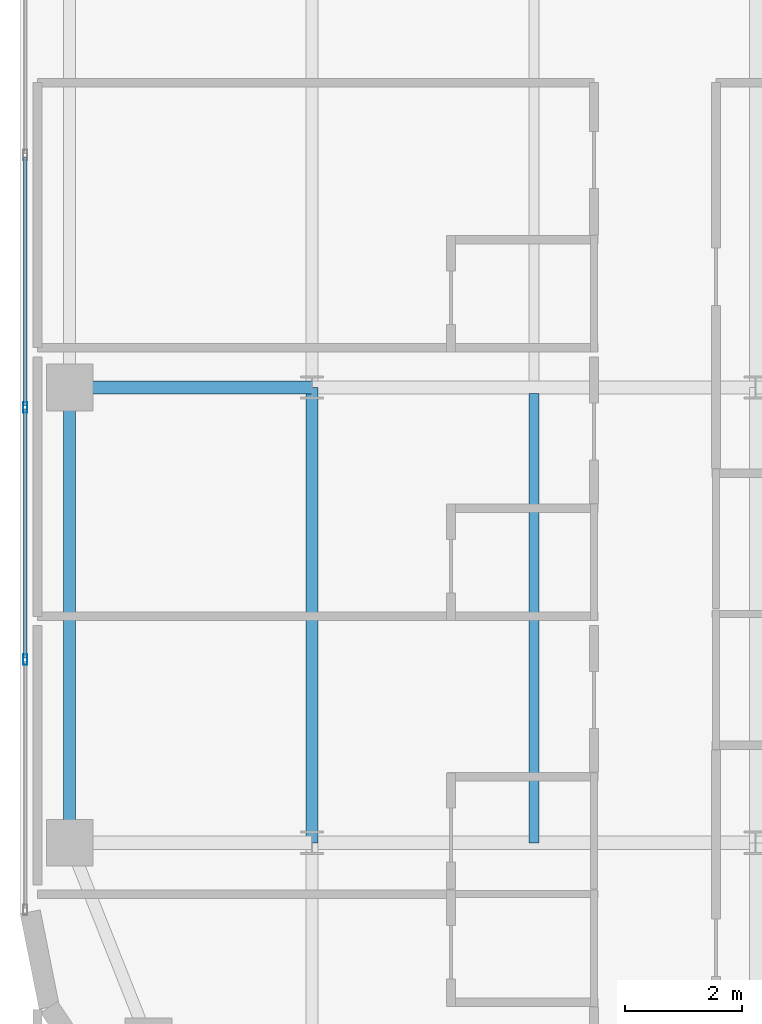
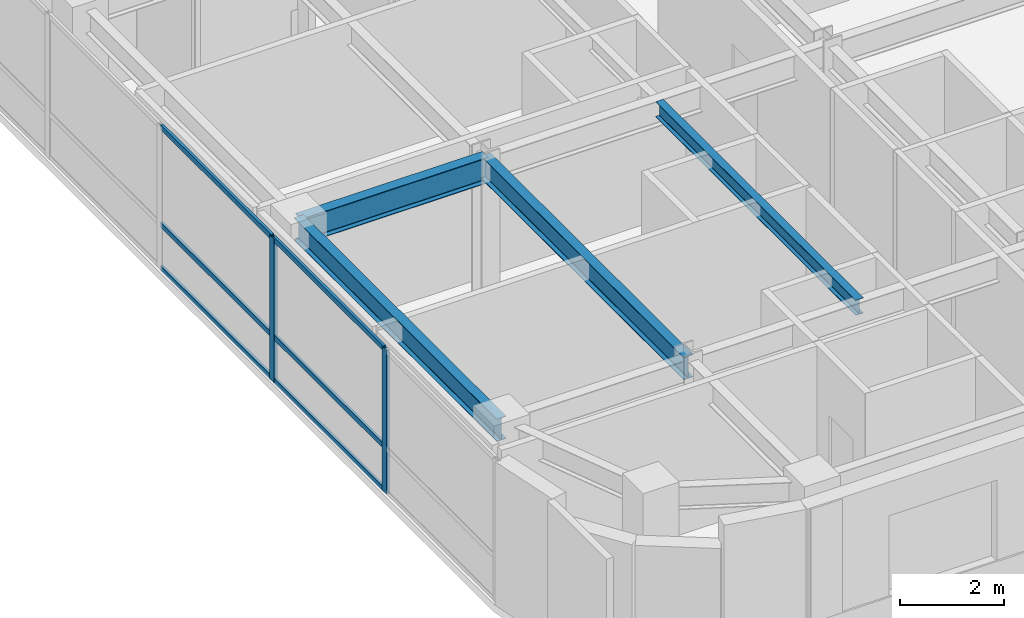
# One storey, part 5 of 28: 8 members, 4 beams, 1 element without a shape of its own.
"""IFC4 building model written with IfcOpenShell, lengths in metres."""

from ifc_helpers import new_model, si_unit, direction, frame, origin, origin_2d, place, context, subcontext, project, spatial, hollow_rectangle, i_section, extrude, source, transform, mapped, material, layer, layer_set, material_profile, profile_set, type_object, type_shapes, element, aggregate, save


model = new_model("IFC4")

# Units and contexts
model_context = context("Model", 3, precision=1e-05, world=origin(), true_north=direction((0.0, 1.0)))
body_context = subcontext(model_context, "Body", "Model", "MODEL_VIEW")
ifc_project = project(units=[si_unit("LENGTHUNIT", "METRE"), si_unit("AREAUNIT", "SQUARE_METRE"), si_unit("VOLUMEUNIT", "CUBIC_METRE"), si_unit("PLANEANGLEUNIT", "RADIAN"), si_unit("MASSUNIT", "GRAM", prefix="KILO")], contexts=[model_context])

# Site, building, storey
site_placement = place(None, origin())
site = spatial("IfcSite", under=ifc_project, at=site_placement, CompositionType="ELEMENT")
building_placement = place(site_placement, origin())
building = spatial("IfcBuilding", under=site, at=building_placement, Name="Tolvann Quenvar Hotel", CompositionType="ELEMENT")
storey_placement = place(building_placement, frame((0.0, 0.0, 154.14990234375)))
storey = spatial("IfcBuildingStorey", under=building, at=storey_placement, Name="L40", CompositionType="ELEMENT", Elevation=154.14990234375)

# Beams
ifc_material_1 = material(Name="Steel Grade 350", Category="steel")
ifc_material_profile_1 = material_profile(ifc_material_1, i_section(OverallWidth=0.208984375, OverallDepth=0.528076171875, WebThickness=0.009521484375, FlangeThickness=0.01318359375, FilletRadius=0.013916015625, at=origin_2d()), Name="530UB82")
ifc_profile_set_1 = profile_set([ifc_material_profile_1], Name="Steel Grade 350")
beam_type_1 = type_object("IfcBeamType", Name="BM_SPAND_530UB82", PredefinedType="SPANDREL", material=ifc_profile_set_1)
shared_shape_1 = source(origin(), body_context, "Body", "SweptSolid", [
    extrude(i_section(OverallWidth=0.208984375, OverallDepth=0.528076171875, WebThickness=0.009521484375, FlangeThickness=0.01318359375, FilletRadius=0.013916015625, at=origin_2d()), origin(), (0.0, 0.0, 1.0), 7.800048828125),
])
type_shapes(beam_type_1, [shared_shape_1])
beam_1_placement = place(storey_placement, frame((3.449951171875, 8.199951171875, 3.106201171875), z_axis=(0.0, 1.0, 0.0), x_axis=(-1.0, 0.0, 0.0)))
element("IfcBeam", 1, at=beam_1_placement, inside=storey, type_object=beam_type_1, Name="BM-L40-NS-B3-B4", PredefinedType="SPANDREL", context=body_context, shape_type="MappedRepresentation", body=[
    mapped(shared_shape_1, transform((0.0, 0.0, 0.0), x_axis=(1.0, 0.0, 0.0), y_axis=(0.0, 1.0, 0.0), z_axis=(0.0, 0.0, 1.0), scale=1.0)),
])
ifc_material_profile_2 = material_profile(ifc_material_1, i_section(OverallWidth=0.208984375, OverallDepth=0.532958984375, WebThickness=0.01025390625, FlangeThickness=0.015625, FilletRadius=0.013916015625, at=origin_2d()), Name="530UB92")
ifc_profile_set_2 = profile_set([ifc_material_profile_2], Name="Steel Grade 350")
beam_type_2 = type_object("IfcBeamType", Name="BM_GIRD_530UB92", PredefinedType="BEAM", material=ifc_profile_set_2)
shared_shape_2 = source(origin(), body_context, "Body", "SweptSolid", [
    extrude(i_section(OverallWidth=0.208984375, OverallDepth=0.532958984375, WebThickness=0.01025390625, FlangeThickness=0.015625, FilletRadius=0.013916015625, at=origin_2d()), origin(), (0.0, 0.0, 1.0), 7.800048828125),
])
type_shapes(beam_type_2, [shared_shape_2])
beam_2_placement = place(storey_placement, frame((7.60009765625, 8.199951171875, 3.103515625), z_axis=(0.0, 1.0, 0.0), x_axis=(-1.0, 0.0, 0.0)))
element("IfcBeam", 2, at=beam_2_placement, inside=storey, type_object=beam_type_2, Name="BM-L40-NS-C3-C4", PredefinedType="BEAM", context=body_context, shape_type="MappedRepresentation", body=[
    mapped(shared_shape_2, transform((0.0, 0.0, 0.0), x_axis=(1.0, 0.0, 0.0), y_axis=(0.0, 1.0, 0.0), z_axis=(0.0, 0.0, 1.0), scale=1.0)),
])
ifc_material_profile_3 = material_profile(ifc_material_1, i_section(OverallWidth=0.22802734375, OverallDepth=0.60205078125, WebThickness=0.010498046875, FlangeThickness=0.014892578125, FilletRadius=0.013916015625, at=origin_2d()), Name="610UB101")
ifc_profile_set_3 = profile_set([ifc_material_profile_3], Name="Steel Grade 350")
beam_type_3 = type_object("IfcBeamType", Name="BM_GIRD_610UB101", PredefinedType="BEAM", material=ifc_profile_set_3)
shared_shape_3 = source(origin(), body_context, "Body", "SweptSolid", [
    extrude(i_section(OverallWidth=0.22802734375, OverallDepth=0.60205078125, WebThickness=0.010498046875, FlangeThickness=0.014892578125, FilletRadius=0.013916015625, at=origin_2d()), origin(), (0.0, 0.0, 1.0), 4.150146484375),
])
type_shapes(beam_type_3, [shared_shape_3])
beam_3_placement = place(storey_placement, frame((3.449951171875, 16.0, 3.069091796875), z_axis=(1.0, 0.0, 0.0), x_axis=(0.0, 1.0, 0.0)))
element("IfcBeam", 3, at=beam_3_placement, inside=storey, type_object=beam_type_3, Name="BM-L40-EW-4-B4-C4", PredefinedType="BEAM", context=body_context, shape_type="MappedRepresentation", body=[
    mapped(shared_shape_3, transform((0.0, 0.0, 0.0), x_axis=(1.0, 0.0, 0.0), y_axis=(0.0, 1.0, 0.0), z_axis=(0.0, 0.0, 1.0), scale=1.0)),
])
ifc_material_profile_4 = material_profile(ifc_material_1, i_section(OverallWidth=0.172119140625, OverallDepth=0.35888671875, WebThickness=0.008056640625, FlangeThickness=0.012939453125, FilletRadius=0.011474609375, at=origin_2d()), Name="360UB57")
ifc_profile_set_4 = profile_set([ifc_material_profile_4], Name="Steel Grade 350")
beam_type_4 = type_object("IfcBeamType", Name="BM_JOIST_360UB57", PredefinedType="JOIST", material=ifc_profile_set_4)
shared_shape_4 = source(origin(), body_context, "Body", "SweptSolid", [
    extrude(i_section(OverallWidth=0.172119140625, OverallDepth=0.35888671875, WebThickness=0.008056640625, FlangeThickness=0.012939453125, FilletRadius=0.011474609375, at=origin_2d()), origin(), (0.0, 0.0, 1.0), 7.692138671875),
])
type_shapes(beam_type_4, [shared_shape_4])
beam_4_placement = place(storey_placement, frame((11.39990234375, 8.199951171875, 3.190673828125), z_axis=(0.0, 1.0, 0.0), x_axis=(-1.0, 0.0, 0.0)))
element("IfcBeam", 4, at=beam_4_placement, inside=storey, type_object=beam_type_4, Name="BJ-L40-114-82", PredefinedType="JOIST", context=body_context, shape_type="MappedRepresentation", body=[
    mapped(shared_shape_4, transform((0.0, 0.0, 0.0), x_axis=(1.0, 0.0, 0.0), y_axis=(0.0, 1.0, 0.0), z_axis=(0.0, 0.0, 1.0), scale=1.0)),
])

# Curtain wall, members
ifc_material_2 = material(Name="Thermally broken anodised architectural aluminium 6063-T6 and laminated low-E glass", Category="aluminium")
ifc_layer = layer(ifc_material_2, 0.179931640625)
ifc_layer_set = layer_set([ifc_layer], Name="Thermally broken anodised architectural aluminium 6063-T6 and laminated low-E glass")
curtain_wall_type = type_object("IfcCurtainWallType", Name="CW_SYS_BAND_04", PredefinedType="USERDEFINED", material=ifc_layer_set)
curtain_wall_placement = place(storey_placement, origin())
curtain_wall = element("IfcCurtainWall", 5, at=curtain_wall_placement, inside=storey, type_object=curtain_wall_type, Name="Curtain Wall CW-BAND-04 (CWR-L40-E23)", ObjectType="UNITISED CURTAIN WALL", PredefinedType="USERDEFINED")
ifc_material_3 = material(Name="Anodised architectural aluminium 6063-T6 framing", Category="aluminium")
ifc_material_profile_5 = material_profile(ifc_material_3, hollow_rectangle(XDim=0.070068359375, YDim=0.179931640625, WallThickness=0.00390625, at=origin_2d()), Name="180x70x4RHS")
ifc_profile_set_5 = profile_set([ifc_material_profile_5], Name="Anodised architectural aluminium 6063-T6 framing")
member_type_1 = type_object("IfcMemberType", Name="CW_MULL_180x70", PredefinedType="MULLION", material=ifc_profile_set_5)
shared_shape_5 = source(origin(), body_context, "Body", "SweptSolid", [
    extrude(hollow_rectangle(XDim=0.070068359375, YDim=0.179931640625, WallThickness=0.00390625, at=origin_2d()), origin(), (0.0, 0.0, 1.0), 3.3701171875),
])
type_shapes(member_type_1, [shared_shape_5])
member_1_placement = place(storey_placement, frame((2.68994140625, 15.65869140625, 0.0), z_axis=(0.0, 0.0, 1.0), x_axis=(1.0, 0.0, 0.0)))
member_1 = element("IfcMember", 6, at=member_1_placement, type_object=member_type_1, Name="CW-BAND-04 mullion 7", PredefinedType="MULLION", context=body_context, shape_type="MappedRepresentation", body=[
    mapped(shared_shape_5, transform((0.0, 0.0, 0.0), x_axis=(1.0, 0.0, 0.0), y_axis=(0.0, 1.0, 0.0), z_axis=(0.0, 0.0, 1.0), scale=1.0)),
])
member_2_placement = place(storey_placement, frame((2.68994140625, 11.337890625, 0.0), z_axis=(0.0, 0.0, 1.0), x_axis=(1.0, 0.0, 0.0)))
member_2 = element("IfcMember", 7, at=member_2_placement, type_object=member_type_1, Name="CW-BAND-04 mullion 8", PredefinedType="MULLION", context=body_context, shape_type="MappedRepresentation", body=[
    mapped(shared_shape_5, transform((0.0, 0.0, 0.0), x_axis=(1.0, 0.0, 0.0), y_axis=(0.0, 1.0, 0.0), z_axis=(0.0, 0.0, 1.0), scale=1.0)),
])
ifc_material_profile_6 = material_profile(ifc_material_3, hollow_rectangle(XDim=0.06005859375, YDim=0.1201171875, WallThickness=0.00341796875, at=origin_2d()), Name="120x60x3.5RHS")
ifc_profile_set_6 = profile_set([ifc_material_profile_6], Name="Anodised architectural aluminium 6063-T6 framing")
member_type_2 = type_object("IfcMemberType", Name="CW_TRAN_120x60", PredefinedType="USERDEFINED", material=ifc_profile_set_6)
shared_shape_6 = source(origin(), body_context, "Body", "SweptSolid", [
    extrude(hollow_rectangle(XDim=0.06005859375, YDim=0.1201171875, WallThickness=0.00341796875, at=origin_2d()), origin(), (0.0, 0.0, 1.0), 4.250732421875),
])
type_shapes(member_type_2, [shared_shape_6])
member_3_placement = place(storey_placement, frame((2.68994140625, 19.9443359375, 0.030029296875), z_axis=(0.0, -1.0, 0.0), x_axis=(1.0, 0.0, 0.0)))
member_3 = element("IfcMember", 8, at=member_3_placement, type_object=member_type_2, Name="CW-BAND-04 transom 6.1", ObjectType="TRANSOM", PredefinedType="USERDEFINED", context=body_context, shape_type="MappedRepresentation", body=[
    mapped(shared_shape_6, transform((0.0, 0.0, 0.0), x_axis=(1.0, 0.0, 0.0), y_axis=(0.0, 1.0, 0.0), z_axis=(0.0, 0.0, 1.0), scale=1.0)),
])
member_4_placement = place(storey_placement, frame((2.68994140625, 19.9443359375, 1.050048828125), z_axis=(0.0, -1.0, 0.0), x_axis=(1.0, 0.0, 0.0)))
member_4 = element("IfcMember", 9, at=member_4_placement, type_object=member_type_2, Name="CW-BAND-04 transom 6.2", ObjectType="TRANSOM", PredefinedType="USERDEFINED", context=body_context, shape_type="MappedRepresentation", body=[
    mapped(shared_shape_6, transform((0.0, 0.0, 0.0), x_axis=(1.0, 0.0, 0.0), y_axis=(0.0, 1.0, 0.0), z_axis=(0.0, 0.0, 1.0), scale=1.0)),
])
member_5_placement = place(storey_placement, frame((2.68994140625, 19.9443359375, 3.340087890625), z_axis=(0.0, -1.0, 0.0), x_axis=(1.0, 0.0, 0.0)))
member_5 = element("IfcMember", 10, at=member_5_placement, type_object=member_type_2, Name="CW-BAND-04 transom 6.3", ObjectType="TRANSOM", PredefinedType="USERDEFINED", context=body_context, shape_type="MappedRepresentation", body=[
    mapped(shared_shape_6, transform((0.0, 0.0, 0.0), x_axis=(1.0, 0.0, 0.0), y_axis=(0.0, 1.0, 0.0), z_axis=(0.0, 0.0, 1.0), scale=1.0)),
])
member_6_placement = place(storey_placement, frame((2.68994140625, 15.62353515625, 0.030029296875), z_axis=(0.0, -1.0, 0.0), x_axis=(1.0, 0.0, 0.0)))
member_6 = element("IfcMember", 11, at=member_6_placement, type_object=member_type_2, Name="CW-BAND-04 transom 7.1", ObjectType="TRANSOM", PredefinedType="USERDEFINED", context=body_context, shape_type="MappedRepresentation", body=[
    mapped(shared_shape_6, transform((0.0, 0.0, 0.0), x_axis=(1.0, 0.0, 0.0), y_axis=(0.0, 1.0, 0.0), z_axis=(0.0, 0.0, 1.0), scale=1.0)),
])
member_7_placement = place(storey_placement, frame((2.68994140625, 15.62353515625, 1.050048828125), z_axis=(0.0, -1.0, 0.0), x_axis=(1.0, 0.0, 0.0)))
member_7 = element("IfcMember", 12, at=member_7_placement, type_object=member_type_2, Name="CW-BAND-04 transom 7.2", ObjectType="TRANSOM", PredefinedType="USERDEFINED", context=body_context, shape_type="MappedRepresentation", body=[
    mapped(shared_shape_6, transform((0.0, 0.0, 0.0), x_axis=(1.0, 0.0, 0.0), y_axis=(0.0, 1.0, 0.0), z_axis=(0.0, 0.0, 1.0), scale=1.0)),
])
member_8_placement = place(storey_placement, frame((2.68994140625, 15.62353515625, 3.340087890625), z_axis=(0.0, -1.0, 0.0), x_axis=(1.0, 0.0, 0.0)))
member_8 = element("IfcMember", 13, at=member_8_placement, type_object=member_type_2, Name="CW-BAND-04 transom 7.3", ObjectType="TRANSOM", PredefinedType="USERDEFINED", context=body_context, shape_type="MappedRepresentation", body=[
    mapped(shared_shape_6, transform((0.0, 0.0, 0.0), x_axis=(1.0, 0.0, 0.0), y_axis=(0.0, 1.0, 0.0), z_axis=(0.0, 0.0, 1.0), scale=1.0)),
])
aggregate(curtain_wall, [member_1, member_2, member_3, member_4, member_5, member_6, member_7, member_8])

save(model, "model.ifc")
